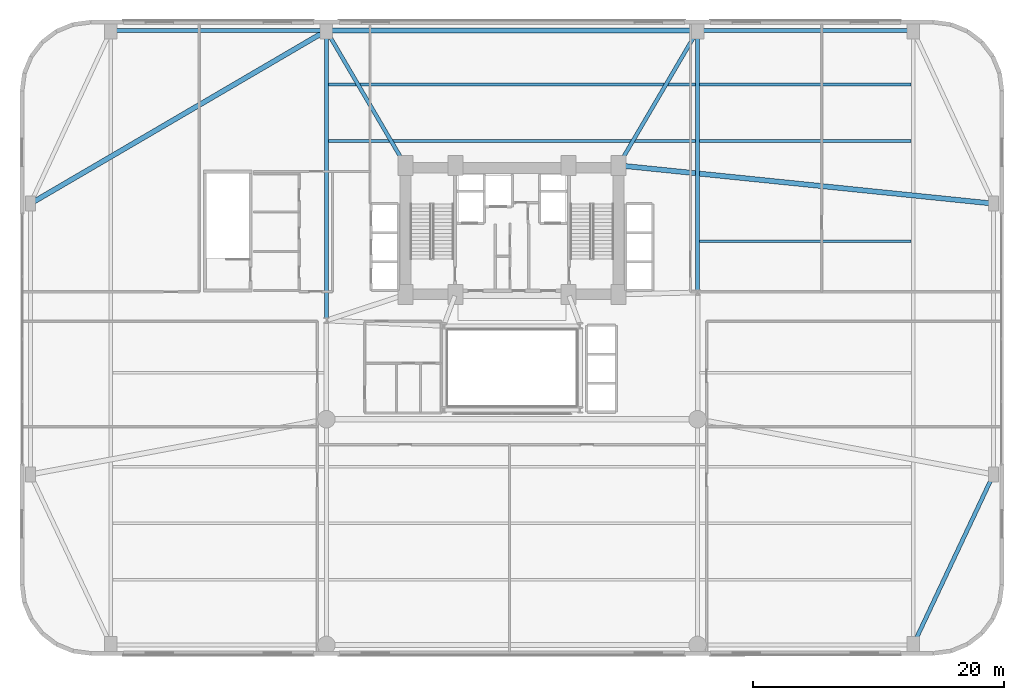
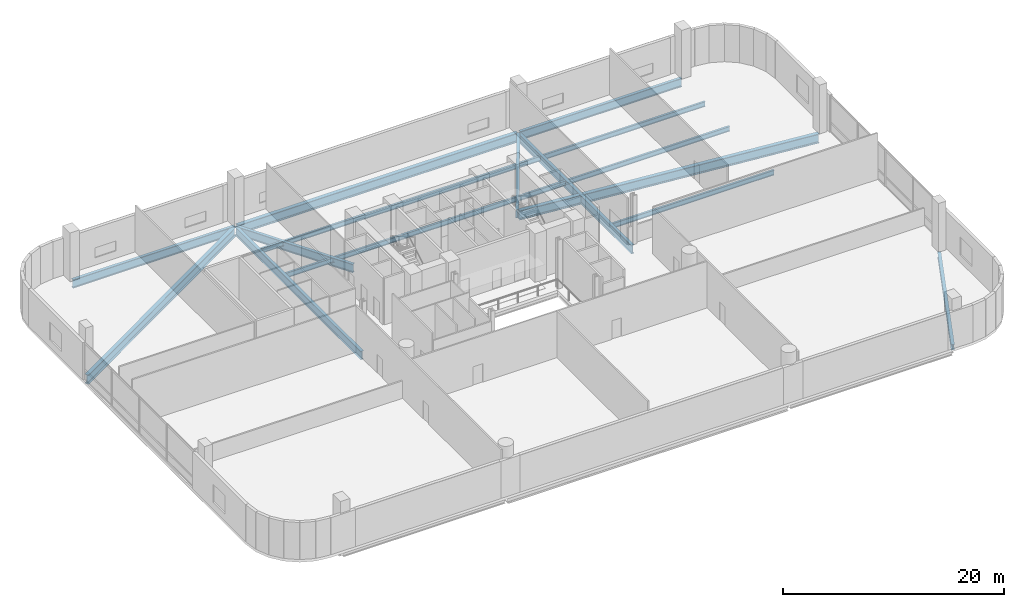
# One storey, part 15 of 31: 15 beams.
"""IFC4 building model written with IfcOpenShell, lengths in metres."""

from ifc_helpers import new_model, si_unit, direction, frame, origin, origin_2d, place, context, subcontext, project, spatial, i_section, extrude, material, material_profile, profile_set, type_object, element, save


model = new_model("IFC4")

# Units and contexts
model_context = context("Model", 3, precision=1e-05, world=origin(), true_north=direction((0.0, 1.0)))
body_context = subcontext(model_context, "Body", "Model", "MODEL_VIEW")
ifc_project = project(units=[si_unit("LENGTHUNIT", "METRE"), si_unit("AREAUNIT", "SQUARE_METRE"), si_unit("VOLUMEUNIT", "CUBIC_METRE"), si_unit("PLANEANGLEUNIT", "RADIAN"), si_unit("MASSUNIT", "GRAM", prefix="KILO")], contexts=[model_context])

# Site, building, storey
site_placement = place(None, origin())
site = spatial("IfcSite", under=ifc_project, at=site_placement, CompositionType="ELEMENT")
building_placement = place(site_placement, origin())
building = spatial("IfcBuilding", under=site, at=building_placement, Name="Varnelok Gate Tower", CompositionType="ELEMENT")
storey_placement = place(building_placement, frame((0.0, 0.0, 21.60009765625)))
storey = spatial("IfcBuildingStorey", under=building, at=storey_placement, Name="L04", CompositionType="ELEMENT", Elevation=21.60009765625)

# Beams
ifc_material = material(Name="Structural Steel ASTM A992 Grade 50", Category="steel")
ifc_material_profile_1 = material_profile(ifc_material, i_section(OverallWidth=0.2119140625, OverallDepth=0.5439453125, WebThickness=0.01318359375, FlangeThickness=0.021240234375, FilletRadius=0.01611328125, at=origin_2d()), Name="W21X83")
ifc_profile_set_1 = profile_set([ifc_material_profile_1], Name="Structural Steel ASTM A992 Grade 50")
beam_type_1 = type_object("IfcBeamType", Name="BM-JST-W21X83", PredefinedType="JOIST", material=ifc_profile_set_1)
for number, where, z_axis, x_axis, name in (
    (1, (54.159912109375, 33.0, -0.592041015625), (1.0, 0.0, 0.0), (0.0, 1.0, 0.0), "L04 Podium Floor Joist"),
    (2, (54.159912109375, 41.0, -0.592041015625), (1.0, 0.0, 0.0), (0.0, 1.0, 0.0), "L04 Podium Floor Joist"),
):
    element("IfcBeam", number, at=place(storey_placement, frame(where, z_axis=z_axis, x_axis=x_axis)), inside=storey, type_object=beam_type_1, Name=name, PredefinedType="JOIST", context=body_context, shape_type="SweptSolid", body=[
        extrude(i_section(OverallWidth=0.2119140625, OverallDepth=0.5439453125, WebThickness=0.01318359375, FlangeThickness=0.021240234375, FilletRadius=0.01611328125, at=origin_2d()), origin(), (0.0, 0.0, 1.0), 16.880126953125),
    ])
beam_1_placement = place(storey_placement, frame((24.56005859375, 41.0, -0.592041015625), z_axis=(1.0, 0.0, 0.0), x_axis=(0.0, 1.0, 0.0)))
element("IfcBeam", 3, at=beam_1_placement, inside=storey, type_object=beam_type_1, Name="L04 Central Bay Joist", PredefinedType="JOIST", context=body_context, shape_type="SweptSolid", body=[
    extrude(i_section(OverallWidth=0.2119140625, OverallDepth=0.5439453125, WebThickness=0.01318359375, FlangeThickness=0.021240234375, FilletRadius=0.01611328125, at=origin_2d()), origin(), (0.0, 0.0, 1.0), 29.280029296875),
])
beam_2_placement = place(storey_placement, frame((54.159912109375, 45.5, -0.592041015625), z_axis=(1.0, 0.0, 0.0), x_axis=(0.0, 1.0, 0.0)))
element("IfcBeam", 4, at=beam_2_placement, inside=storey, type_object=beam_type_1, Name="L04 Podium Floor Joist", PredefinedType="JOIST", context=body_context, shape_type="SweptSolid", body=[
    extrude(i_section(OverallWidth=0.2119140625, OverallDepth=0.5439453125, WebThickness=0.01318359375, FlangeThickness=0.021240234375, FilletRadius=0.01611328125, at=origin_2d()), origin(), (0.0, 0.0, 1.0), 16.880126953125),
])
beam_3_placement = place(storey_placement, frame((24.56005859375, 45.5, -0.592041015625), z_axis=(1.0, 0.0, 0.0), x_axis=(0.0, 1.0, 0.0)))
element("IfcBeam", 5, at=beam_3_placement, inside=storey, type_object=beam_type_1, Name="L04 Central Bay Joist", PredefinedType="JOIST", context=body_context, shape_type="SweptSolid", body=[
    extrude(i_section(OverallWidth=0.2119140625, OverallDepth=0.5439453125, WebThickness=0.01318359375, FlangeThickness=0.021240234375, FilletRadius=0.01611328125, at=origin_2d()), origin(), (0.0, 0.0, 1.0), 29.280029296875),
])
ifc_material_profile_2 = material_profile(ifc_material, i_section(OverallWidth=0.30810546875, OverallDepth=0.943115234375, WebThickness=0.022216796875, FlangeThickness=0.039794921875, FilletRadius=0.02587890625, at=origin_2d()), Name="W36X232")
ifc_profile_set_2 = profile_set([ifc_material_profile_2], Name="Structural Steel ASTM A992 Grade 50")
beam_type_2 = type_object("IfcBeamType", Name="BM-PRI-W36X232", PredefinedType="BEAM", material=ifc_profile_set_2)
beam_4_placement = place(storey_placement, frame((7.340087890625, 49.800048828125, -0.79150390625), z_axis=(1.0, 0.0, 0.0), x_axis=(0.0, 1.0, 0.0)))
element("IfcBeam", 6, at=beam_4_placement, inside=storey, type_object=beam_type_2, Name="L04 Podium Primary Girder 3", PredefinedType="BEAM", context=body_context, shape_type="SweptSolid", body=[
    extrude(i_section(OverallWidth=0.30810546875, OverallDepth=0.943115234375, WebThickness=0.022216796875, FlangeThickness=0.039794921875, FilletRadius=0.02587890625, at=origin_2d()), origin(), (0.0, 0.0, 1.0), 16.919921875),
])
beam_5_placement = place(storey_placement, frame((54.139892578125, 49.800048828125, -0.79150390625), z_axis=(1.0, 0.0, 0.0), x_axis=(0.0, 1.0, 0.0)))
element("IfcBeam", 7, at=beam_5_placement, inside=storey, type_object=beam_type_2, Name="L04 Podium Primary Girder 5", PredefinedType="BEAM", context=body_context, shape_type="SweptSolid", body=[
    extrude(i_section(OverallWidth=0.30810546875, OverallDepth=0.943115234375, WebThickness=0.022216796875, FlangeThickness=0.039794921875, FilletRadius=0.02587890625, at=origin_2d()), origin(), (0.0, 0.0, 1.0), 16.920166015625),
])
for number, where, z_axis, x_axis, name in (
    (8, (24.470703125, 49.67919921875, -0.79150390625), (0.505622271853, -0.862754958378, 0.0), (0.862754958378, 0.505622271853, 0.0), "L04 Podium Primary Girder 20"),
    (9, (53.92919921875, 49.67919921875, -0.79150390625), (-0.505622271853, -0.862754958378, 0.0), (0.862754958378, -0.505622271853, 0.0), "L04 Podium Primary Girder 21"),
):
    element("IfcBeam", number, at=place(storey_placement, frame(where, z_axis=z_axis, x_axis=x_axis)), inside=storey, type_object=beam_type_2, Name=name, PredefinedType="BEAM", context=body_context, shape_type="SweptSolid", body=[
        extrude(i_section(OverallWidth=0.30810546875, OverallDepth=0.943115234375, WebThickness=0.022216796875, FlangeThickness=0.039794921875, FilletRadius=0.02587890625, at=origin_2d()), origin(), (0.0, 0.0, 1.0), 12.179931640625),
    ])
beam_6_placement = place(storey_placement, frame((24.39990234375, 26.820068359375, -0.79150390625), z_axis=(0.0, 1.0, 0.0), x_axis=(-1.0, 0.0, 0.0)))
element("IfcBeam", 10, at=beam_6_placement, inside=storey, type_object=beam_type_2, Name="L04 Podium Primary Girder 22", PredefinedType="BEAM", context=body_context, shape_type="SweptSolid", body=[
    extrude(i_section(OverallWidth=0.30810546875, OverallDepth=0.943115234375, WebThickness=0.022216796875, FlangeThickness=0.039794921875, FilletRadius=0.02587890625, at=origin_2d()), origin(), (0.0, 0.0, 1.0), 22.83984375),
])
beam_7_placement = place(storey_placement, frame((54.0, 29.06005859375, -0.79150390625), z_axis=(0.0, 1.0, 0.0), x_axis=(-1.0, 0.0, 0.0)))
element("IfcBeam", 11, at=beam_7_placement, inside=storey, type_object=beam_type_2, Name="L04 Podium Primary Girder 23", PredefinedType="BEAM", context=body_context, shape_type="SweptSolid", body=[
    extrude(i_section(OverallWidth=0.30810546875, OverallDepth=0.943115234375, WebThickness=0.022216796875, FlangeThickness=0.039794921875, FilletRadius=0.02587890625, at=origin_2d()), origin(), (0.0, 0.0, 1.0), 20.599853515625),
])
ifc_material_profile_3 = material_profile(ifc_material, i_section(OverallWidth=0.323974609375, OverallDepth=0.611083984375, WebThickness=0.0126953125, FlangeThickness=0.01904296875, FilletRadius=0.01806640625, at=origin_2d()), Name="W24X104")
ifc_profile_set_3 = profile_set([ifc_material_profile_3], Name="Structural Steel ASTM A992 Grade 50")
beam_type_3 = type_object("IfcBeamType", Name="BM-SPN-W24X104", PredefinedType="SPANDREL", material=ifc_profile_set_3)
beam_8_placement = place(storey_placement, frame((71.259521484375, 0.9267578125, -0.62548828125), z_axis=(0.425801818887, 0.90481645157, 0.0), x_axis=(-0.90481645157, 0.425801818887, 0.0)))
element("IfcBeam", 12, at=beam_8_placement, inside=storey, type_object=beam_type_3, Name="L04 Podium Primary Girder 10", PredefinedType="SPANDREL", context=body_context, shape_type="SweptSolid", body=[
    extrude(i_section(OverallWidth=0.323974609375, OverallDepth=0.611083984375, WebThickness=0.0126953125, FlangeThickness=0.01904296875, FilletRadius=0.01806640625, at=origin_2d()), origin(), (0.0, 0.0, 1.0), 14.75048828125),
])
ifc_material_profile_4 = material_profile(ifc_material, i_section(OverallWidth=0.404052734375, OverallDepth=1.02001953125, WebThickness=0.025390625, FlangeThickness=0.0458984375, FilletRadius=0.030029296875, at=origin_2d()), Name="W40X324")
ifc_profile_set_4 = profile_set([ifc_material_profile_4], Name="Structural Steel ASTM A992 Grade 50")
beam_type_4 = type_object("IfcBeamType", Name="BM-SPR-W40X324", PredefinedType="BEAM", material=ifc_profile_set_4)
beam_9_placement = place(storey_placement, frame((24.5400390625, 49.800048828125, -0.830078125), z_axis=(1.0, 0.0, 0.0), x_axis=(0.0, 1.0, 0.0)))
element("IfcBeam", 13, at=beam_9_placement, inside=storey, type_object=beam_type_4, Name="L04 Podium Primary Girder 4", PredefinedType="BEAM", context=body_context, shape_type="SweptSolid", body=[
    extrude(i_section(OverallWidth=0.404052734375, OverallDepth=1.02001953125, WebThickness=0.025390625, FlangeThickness=0.0458984375, FilletRadius=0.030029296875, at=origin_2d()), origin(), (0.0, 0.0, 1.0), 29.320068359375),
])
beam_10_placement = place(storey_placement, frame((0.9208984375, 36.07080078125, -0.830078125), z_axis=(0.863249918026, 0.504776761578, 0.0), x_axis=(-0.504776761578, 0.863249918026, 0.0)))
element("IfcBeam", 14, at=beam_10_placement, inside=storey, type_object=beam_type_4, Name="L04 Podium Primary Girder 18", PredefinedType="BEAM", context=body_context, shape_type="SweptSolid", body=[
    extrude(i_section(OverallWidth=0.404052734375, OverallDepth=1.02001953125, WebThickness=0.025390625, FlangeThickness=0.0458984375, FilletRadius=0.030029296875, at=origin_2d()), origin(), (0.0, 0.0, 1.0), 27.058349609375),
])
beam_11_placement = place(storey_placement, frame((47.83935546875, 39.035888671875, -0.830078125), z_axis=(0.994837048788, -0.101485202654, 0.0), x_axis=(0.101485202654, 0.994837048788, 0.0)))
element("IfcBeam", 15, at=beam_11_placement, inside=storey, type_object=beam_type_4, Name="L04 Podium Primary Girder 19", PredefinedType="BEAM", context=body_context, shape_type="SweptSolid", body=[
    extrude(i_section(OverallWidth=0.404052734375, OverallDepth=1.02001953125, WebThickness=0.025390625, FlangeThickness=0.0458984375, FilletRadius=0.030029296875, at=origin_2d()), origin(), (0.0, 0.0, 1.0), 29.775146484375),
])

save(model, "model.ifc")
